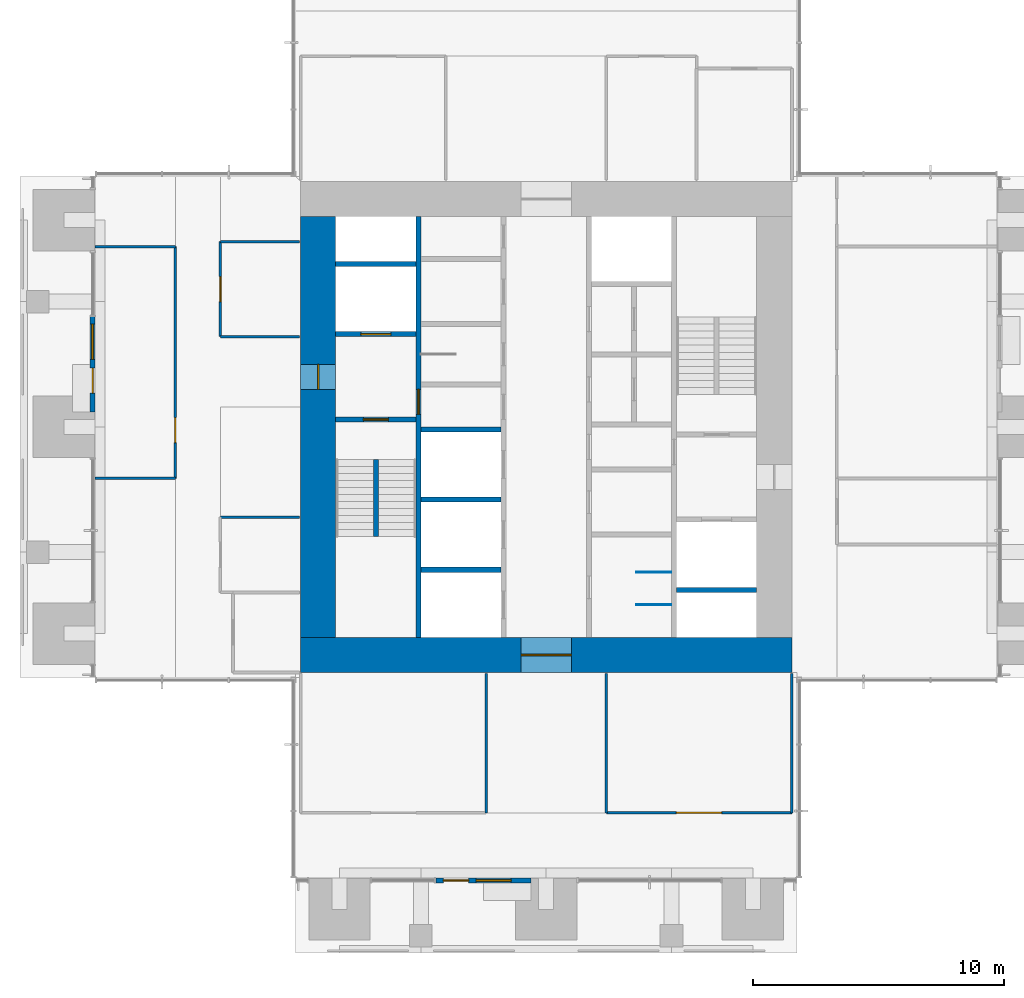
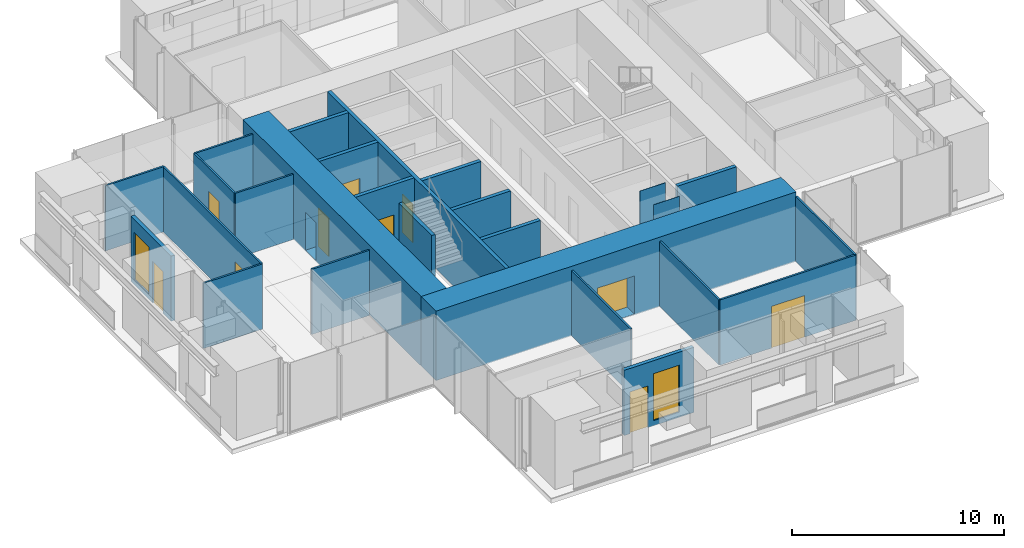
# One storey, part 12 of 17: 26 walls, 10 doors, 2 windows, 12 openings.
"""IFC4 building model written with IfcOpenShell, lengths in metres."""

from ifc_helpers import new_model, si_unit, direction, frame, frame_2d, origin, place, context, subcontext, project, spatial, rectangle, extrude, material, layer, layer_set, type_object, element, fill, save


model = new_model("IFC4")

# Units and contexts
model_context = context("Model", 3, precision=1e-05, world=origin(), true_north=direction((0.0, 1.0)))
body_context = subcontext(model_context, "Body", "Model", "MODEL_VIEW")
ifc_project = project(units=[si_unit("LENGTHUNIT", "METRE"), si_unit("AREAUNIT", "SQUARE_METRE"), si_unit("VOLUMEUNIT", "CUBIC_METRE"), si_unit("PLANEANGLEUNIT", "RADIAN"), si_unit("MASSUNIT", "GRAM", prefix="KILO")], contexts=[model_context])

# Site, building, storey
site_placement = place(None, origin())
site = spatial("IfcSite", under=ifc_project, at=site_placement, CompositionType="ELEMENT")
building_placement = place(site_placement, origin())
building = spatial("IfcBuilding", under=site, at=building_placement, Name="Svetlomir Tower", CompositionType="ELEMENT")
storey_placement = place(building_placement, frame((0.0, 0.0, 214.5)))
storey = spatial("IfcBuildingStorey", under=building, at=storey_placement, Name="L51", CompositionType="ELEMENT", Elevation=214.5)

# Wall, openings, door, window
ifc_material_1 = material(Name="Bronze anodised aluminium glazed screen", Category="aluminium")
ifc_layer_1 = layer(ifc_material_1, 0.199951171875)
ifc_layer_set_1 = layer_set([ifc_layer_1], Name="Bronze anodised aluminium glazed screen")
wall_type_1 = type_object("IfcWallType", Name="BALCONY SCREEN WALL 200", PredefinedType="USERDEFINED", material=ifc_layer_set_1)
wall_1_placement = place(storey_placement, frame((16.60009765625, 2.89990234375, 0.0), z_axis=(0.0, 0.0, 1.0), x_axis=(1.0, 0.0, 0.0)))
wall_1 = element("IfcWall", 1, at=wall_1_placement, inside=storey, type_object=wall_type_1, Name="Balcony screen S", ObjectType="GLAZED SCREEN", PredefinedType="USERDEFINED", context=body_context, shape_type="SweptSolid", body=[
    extrude(rectangle(XDim=3.7998046875, YDim=0.199951171875, at=frame_2d((1.89990234375, 0.0))), origin(), (0.0, 0.0, 1.0), 3.75),
])
opening_1_placement = place(wall_1_placement, frame((0.300048828125, 0.0, 0.0)))
opening_1 = element("IfcOpeningElement", 2, at=opening_1_placement, cuts=wall_1, Name="Opening BD", PredefinedType="OPENING", context=body_context, shape_type="SweptSolid", body=[
    extrude(rectangle(XDim=1.0, YDim=2.39990234375, at=frame_2d((0.5, 1.199951171875))), frame((0.0, 0.10986328125, 0.0), z_axis=(0.0, -1.0, 0.0), x_axis=(1.0, 0.0, 0.0)), (0.0, 0.0, 1.0), 0.219970703125),
])
opening_2_placement = place(wall_1_placement, frame((1.60009765625, 0.0, 0.300048828125)))
opening_2 = element("IfcOpeningElement", 3, at=opening_2_placement, cuts=wall_1, Name="Opening WS2", PredefinedType="OPENING", context=body_context, shape_type="SweptSolid", body=[
    extrude(rectangle(XDim=1.39990234375, YDim=2.699951171875, at=frame_2d((0.699951171875, 1.35009765625))), frame((0.0, 0.10986328125, 0.0), z_axis=(0.0, -1.0, 0.0), x_axis=(1.0, 0.0, 0.0)), (0.0, 0.0, 1.0), 0.219970703125),
])
ifc_material_2 = material(Name="Bronze anodised aluminium glazed door", Category="aluminium")
door_type_1 = type_object("IfcDoorType", Name="BALCONY DOOR BD 1000x2400", OperationType="SINGLE_SWING_LEFT", PredefinedType="DOOR", material=ifc_material_2)
door_1_placement = place(opening_1_placement, origin())
door_1 = element("IfcDoor", 4, at=door_1_placement, inside=storey, type_object=door_type_1, Name="Balcony screen S door", OperationType="SINGLE_SWING_LEFT", OverallHeight=2.39990234375, OverallWidth=1.0, PredefinedType="DOOR", context=body_context, shape_type="SweptSolid", body=[
    extrude(rectangle(XDim=1.0, YDim=2.39990234375, at=frame_2d((0.5, 1.199951171875))), frame((0.0, 0.02490234375, 0.0), z_axis=(0.0, -1.0, 0.0), x_axis=(1.0, 0.0, 0.0)), (0.0, 0.0, 1.0), 0.050048828125),
])
fill(opening_1, door_1)
ifc_material_3 = material(Name="Bronze anodised aluminium window", Category="aluminium")
window_type = type_object("IfcWindowType", Name="SCREEN WINDOW WS2 1400x2700", PartitioningType="SINGLE_PANEL", PredefinedType="WINDOW", material=ifc_material_3)
window_1_placement = place(opening_2_placement, origin())
window_1 = element("IfcWindow", 5, at=window_1_placement, inside=storey, type_object=window_type, Name="Balcony screen S window 1", OverallHeight=2.699951171875, OverallWidth=1.39990234375, PartitioningType="SINGLE_PANEL", PredefinedType="WINDOW", context=body_context, shape_type="SweptSolid", body=[
    extrude(rectangle(XDim=1.39990234375, YDim=2.699951171875, at=frame_2d((0.699951171875, 1.35009765625))), frame((0.0, 0.030029296875, 0.0), z_axis=(0.0, -1.0, 0.0), x_axis=(1.0, 0.0, 0.0)), (0.0, 0.0, 1.0), 0.06005859375),
])
fill(opening_2, window_1)

wall_2_placement = place(storey_placement, frame((2.89990234375, 25.39990234375, 0.0), z_axis=(0.0, 0.0, 1.0), x_axis=(0.0, -1.0, 0.0)))
wall_2 = element("IfcWall", 6, at=wall_2_placement, inside=storey, type_object=wall_type_1, Name="Balcony screen W", ObjectType="GLAZED SCREEN", PredefinedType="USERDEFINED", context=body_context, shape_type="SweptSolid", body=[
    extrude(rectangle(XDim=3.7998046875, YDim=0.199951171875, at=frame_2d((1.89990234375, 0.0))), origin(), (0.0, 0.0, 1.0), 3.75),
])
opening_3_placement = place(wall_2_placement, frame((2.050048828125, 0.0, 0.0)))
opening_3 = element("IfcOpeningElement", 7, at=opening_3_placement, cuts=wall_2, Name="Opening BD", PredefinedType="OPENING", context=body_context, shape_type="SweptSolid", body=[
    extrude(rectangle(XDim=1.0, YDim=2.39990234375, at=frame_2d((0.5, 1.199951171875))), frame((0.0, 0.10986328125, 0.0), z_axis=(0.0, -1.0, 0.0), x_axis=(1.0, 0.0, 0.0)), (0.0, 0.0, 1.0), 0.219970703125),
])
opening_4_placement = place(wall_2_placement, frame((0.300048828125, 0.0, 0.300048828125)))
opening_4 = element("IfcOpeningElement", 8, at=opening_4_placement, cuts=wall_2, Name="Opening WS2", PredefinedType="OPENING", context=body_context, shape_type="SweptSolid", body=[
    extrude(rectangle(XDim=1.39990234375, YDim=2.699951171875, at=frame_2d((0.699951171875, 1.35009765625))), frame((0.0, 0.10986328125, 0.0), z_axis=(0.0, -1.0, 0.0), x_axis=(1.0, 0.0, 0.0)), (0.0, 0.0, 1.0), 0.219970703125),
])
door_2_placement = place(opening_3_placement, origin())
door_2 = element("IfcDoor", 9, at=door_2_placement, inside=storey, type_object=door_type_1, Name="Balcony screen W door", OperationType="SINGLE_SWING_LEFT", OverallHeight=2.39990234375, OverallWidth=1.0, PredefinedType="DOOR", context=body_context, shape_type="SweptSolid", body=[
    extrude(rectangle(XDim=1.0, YDim=2.39990234375, at=frame_2d((0.5, 1.199951171875))), frame((0.0, 0.02490234375, 0.0), z_axis=(0.0, -1.0, 0.0), x_axis=(1.0, 0.0, 0.0)), (0.0, 0.0, 1.0), 0.050048828125),
])
fill(opening_3, door_2)
window_2_placement = place(opening_4_placement, origin())
window_2 = element("IfcWindow", 10, at=window_2_placement, inside=storey, type_object=window_type, Name="Balcony screen W window 1", OverallHeight=2.699951171875, OverallWidth=1.39990234375, PartitioningType="SINGLE_PANEL", PredefinedType="WINDOW", context=body_context, shape_type="SweptSolid", body=[
    extrude(rectangle(XDim=1.39990234375, YDim=2.699951171875, at=frame_2d((0.699951171875, 1.35009765625))), frame((0.0, 0.030029296875, 0.0), z_axis=(0.0, -1.0, 0.0), x_axis=(1.0, 0.0, 0.0)), (0.0, 0.0, 1.0), 0.06005859375),
])
fill(opening_4, window_2)

# Wall, opening, door
ifc_material_4 = material(Name="Concrete C60/75", Category="concrete")
ifc_layer_2 = layer(ifc_material_4, 0.199951171875)
ifc_layer_set_2 = layer_set([ifc_layer_2], Name="Concrete C60/75")
wall_type_2 = type_object("IfcWallType", Name="CORE INNER WALL 200", PredefinedType="SHEAR", material=ifc_layer_set_2)
wall_3_placement = place(storey_placement, frame((15.89990234375, 12.60009765625, -0.050048828125), z_axis=(0.0, 0.0, 1.0), x_axis=(0.0, 1.0, 0.0)))
wall_3 = element("IfcWall", 11, at=wall_3_placement, inside=storey, type_object=wall_type_2, Name="Core inner wall 15.9 L51", PredefinedType="SHEAR", context=body_context, shape_type="SweptSolid", body=[
    extrude(rectangle(XDim=16.7998046875, YDim=0.199951171875, at=frame_2d((8.39990234375, 0.0))), origin(), (0.0, 0.0, 1.0), 4.0),
])
opening_5_placement = place(wall_3_placement, frame((8.89990234375, 0.0, 0.050048828125)))
opening_5 = element("IfcOpeningElement", 12, at=opening_5_placement, cuts=wall_3, Name="Opening DF", PredefinedType="OPENING", context=body_context, shape_type="SweptSolid", body=[
    extrude(rectangle(XDim=1.0, YDim=2.199951171875, at=frame_2d((0.5, 1.10009765625))), frame((0.0, 0.10986328125, 0.0), z_axis=(0.0, -1.0, 0.0), x_axis=(1.0, 0.0, 0.0)), (0.0, 0.0, 1.0), 0.219970703125),
])
ifc_material_5 = material(Name="Steel fire door", Category="steel")
door_type_2 = type_object("IfcDoorType", Name="DOOR DF 1000x2200", OperationType="SINGLE_SWING_LEFT", PredefinedType="DOOR", material=ifc_material_5)
door_3_placement = place(opening_5_placement, origin())
door_3 = element("IfcDoor", 13, at=door_3_placement, inside=storey, type_object=door_type_2, Name="Core corridor west door L51", OperationType="SINGLE_SWING_LEFT", OverallHeight=2.199951171875, OverallWidth=1.0, PredefinedType="DOOR", context=body_context, shape_type="SweptSolid", body=[
    extrude(rectangle(XDim=1.0, YDim=2.199951171875, at=frame_2d((0.5, 1.10009765625))), frame((0.0, 0.02490234375, 0.0), z_axis=(0.0, -1.0, 0.0), x_axis=(1.0, 0.0, 0.0)), (0.0, 0.0, 1.0), 0.050048828125),
])
fill(opening_5, door_3)

wall_4_placement = place(storey_placement, frame((12.60009765625, 21.300048828125, -0.050048828125), z_axis=(0.0, 0.0, 1.0), x_axis=(1.0, 0.0, 0.0)))
wall_4 = element("IfcWall", 14, at=wall_4_placement, inside=storey, type_object=wall_type_2, Name="Core inner wall 12.6-15.8/21.3 L51", PredefinedType="SHEAR", context=body_context, shape_type="SweptSolid", body=[
    extrude(rectangle(XDim=3.199951171875, YDim=0.199951171875, at=frame_2d((1.60009765625, 0.0))), origin(), (0.0, 0.0, 1.0), 4.0),
])
opening_6_placement = place(wall_4_placement, frame((1.10009765625, 0.0, 0.050048828125)))
opening_6 = element("IfcOpeningElement", 15, at=opening_6_placement, cuts=wall_4, Name="Opening DF", PredefinedType="OPENING", context=body_context, shape_type="SweptSolid", body=[
    extrude(rectangle(XDim=1.0, YDim=2.199951171875, at=frame_2d((0.5, 1.10009765625))), frame((0.0, 0.10986328125, 0.0), z_axis=(0.0, -1.0, 0.0), x_axis=(1.0, 0.0, 0.0)), (0.0, 0.0, 1.0), 0.219970703125),
])
door_4_placement = place(opening_6_placement, origin())
door_4 = element("IfcDoor", 16, at=door_4_placement, inside=storey, type_object=door_type_2, Name="Stair S1 door L51", OperationType="SINGLE_SWING_LEFT", OverallHeight=2.199951171875, OverallWidth=1.0, PredefinedType="DOOR", context=body_context, shape_type="SweptSolid", body=[
    extrude(rectangle(XDim=1.0, YDim=2.199951171875, at=frame_2d((0.5, 1.10009765625))), frame((0.0, 0.02490234375, 0.0), z_axis=(0.0, -1.0, 0.0), x_axis=(1.0, 0.0, 0.0)), (0.0, 0.0, 1.0), 0.050048828125),
])
fill(opening_6, door_4)

wall_5_placement = place(storey_placement, frame((12.60009765625, 24.699951171875, -0.050048828125), z_axis=(0.0, 0.0, 1.0), x_axis=(1.0, 0.0, 0.0)))
wall_5 = element("IfcWall", 17, at=wall_5_placement, inside=storey, type_object=wall_type_2, Name="Core inner wall 12.6-15.8/24.7 L51", PredefinedType="SHEAR", context=body_context, shape_type="SweptSolid", body=[
    extrude(rectangle(XDim=3.199951171875, YDim=0.199951171875, at=frame_2d((1.60009765625, 0.0))), origin(), (0.0, 0.0, 1.0), 4.0),
])
opening_7_placement = place(wall_5_placement, frame((1.0, 0.0, 0.050048828125)))
opening_7 = element("IfcOpeningElement", 18, at=opening_7_placement, cuts=wall_5, Name="Opening LD3", PredefinedType="OPENING", context=body_context, shape_type="SweptSolid", body=[
    extrude(rectangle(XDim=1.199951171875, YDim=2.199951171875, at=frame_2d((0.60009765625, 1.10009765625))), frame((0.0, 0.10986328125, 0.0), z_axis=(0.0, -1.0, 0.0), x_axis=(1.0, 0.0, 0.0)), (0.0, 0.0, 1.0), 0.219970703125),
])
ifc_material_6 = material(Name="Stainless steel fire-rated landing door", Category="steel")
door_type_3 = type_object("IfcDoorType", Name="FIREFIGHTING LIFT LANDING DOOR LD3 1200x2200", OperationType="DOUBLE_DOOR_SLIDING", PredefinedType="DOOR", material=ifc_material_6)
door_5_placement = place(opening_7_placement, origin())
door_5 = element("IfcDoor", 19, at=door_5_placement, inside=storey, type_object=door_type_3, Name="Landing door lift FL1 L51", OperationType="DOUBLE_DOOR_SLIDING", OverallHeight=2.199951171875, OverallWidth=1.199951171875, PredefinedType="DOOR", context=body_context, shape_type="SweptSolid", body=[
    extrude(rectangle(XDim=1.199951171875, YDim=2.199951171875, at=frame_2d((0.60009765625, 1.10009765625))), frame((0.0, 0.02490234375, 0.0), z_axis=(0.0, -1.0, 0.0), x_axis=(1.0, 0.0, 0.0)), (0.0, 0.0, 1.0), 0.050048828125),
])
fill(opening_7, door_5)

# Walls
for number, where, z_axis, x_axis, name in (
    (20, (12.60009765625, 27.5, -0.050048828125), (0.0, 0.0, 1.0), (1.0, 0.0, 0.0), "Core inner wall 12.6-15.8/27.5 L51"),
    (21, (16.0, 15.300048828125, -0.050048828125), (0.0, 0.0, 1.0), (1.0, 0.0, 0.0), "Core inner wall 16-19.2/15.3 L51"),
    (22, (16.0, 18.10009765625, -0.050048828125), (0.0, 0.0, 1.0), (1.0, 0.0, 0.0), "Core inner wall 16-19.2/18.1 L51"),
    (23, (16.0, 20.89990234375, -0.050048828125), (0.0, 0.0, 1.0), (1.0, 0.0, 0.0), "Core inner wall 16-19.2/20.9 L51"),
    (24, (26.199951171875, 14.5, -0.050048828125), (0.0, 0.0, 1.0), (1.0, 0.0, 0.0), "Core inner wall 26.2-29.4/14.5 L51"),
):
    element("IfcWall", number, at=place(storey_placement, frame(where, z_axis=z_axis, x_axis=x_axis)), inside=storey, type_object=wall_type_2, Name=name, PredefinedType="SHEAR", context=body_context, shape_type="SweptSolid", body=[
        extrude(rectangle(XDim=3.199951171875, YDim=0.199951171875, at=frame_2d((1.60009765625, 0.0))), origin(), (0.0, 0.0, 1.0), 4.0),
    ])

# Wall, opening, door
ifc_material_7 = material(Name="Concrete C60/75", Category="concrete")
ifc_layer_3 = layer(ifc_material_7, 1.39990234375)
ifc_layer_set_3 = layer_set([ifc_layer_3], Name="Concrete C60/75")
wall_type_3 = type_object("IfcWallType", Name="CORE WALL 1400", PredefinedType="SHEAR", material=ifc_layer_set_3)
wall_6_placement = place(storey_placement, frame((11.199951171875, 11.89990234375, -0.050048828125), z_axis=(0.0, 0.0, 1.0), x_axis=(1.0, 0.0, 0.0)))
wall_6 = element("IfcWall", 25, at=wall_6_placement, inside=storey, type_object=wall_type_3, Name="Core wall south L51", PredefinedType="SHEAR", context=body_context, shape_type="SweptSolid", body=[
    extrude(rectangle(XDim=19.60009765625, YDim=1.39990234375, at=frame_2d((9.800048828125, 0.0))), origin(), (0.0, 0.0, 1.0), 4.0),
])
opening_8_placement = place(wall_6_placement, frame((8.800048828125, 0.0, 0.050048828125)))
opening_8 = element("IfcOpeningElement", 26, at=opening_8_placement, cuts=wall_6, Name="Opening DL", PredefinedType="OPENING", context=body_context, shape_type="SweptSolid", body=[
    extrude(rectangle(XDim=2.0, YDim=2.199951171875, at=frame_2d((1.0, 1.10009765625))), frame((0.0, 0.7099609375, 0.0), z_axis=(0.0, -1.0, 0.0), x_axis=(1.0, 0.0, 0.0)), (0.0, 0.0, 1.0), 1.419921875),
])
ifc_material_8 = material(Name="Steel fire door", Category="steel")
door_type_4 = type_object("IfcDoorType", Name="DOOR DL 2000x2200", OperationType="DOUBLE_DOOR_SINGLE_SWING", PredefinedType="DOOR", material=ifc_material_8)
door_6_placement = place(opening_8_placement, origin())
door_6 = element("IfcDoor", 27, at=door_6_placement, inside=storey, type_object=door_type_4, Name="Lift lobby south door L51", OperationType="DOUBLE_DOOR_SINGLE_SWING", OverallHeight=2.199951171875, OverallWidth=2.0, PredefinedType="DOOR", context=body_context, shape_type="SweptSolid", body=[
    extrude(rectangle(XDim=2.0, YDim=2.199951171875, at=frame_2d((1.0, 1.10009765625))), frame((0.0, 0.02490234375, 0.0), z_axis=(0.0, -1.0, 0.0), x_axis=(1.0, 0.0, 0.0)), (0.0, 0.0, 1.0), 0.050048828125),
])
fill(opening_8, door_6)

wall_7_placement = place(storey_placement, frame((11.89990234375, 12.60009765625, -0.050048828125), z_axis=(0.0, 0.0, 1.0), x_axis=(0.0, 1.0, 0.0)))
wall_7 = element("IfcWall", 28, at=wall_7_placement, inside=storey, type_object=wall_type_3, Name="Core wall west L51", PredefinedType="SHEAR", context=body_context, shape_type="SweptSolid", body=[
    extrude(rectangle(XDim=16.7998046875, YDim=1.39990234375, at=frame_2d((8.39990234375, 0.0))), origin(), (0.0, 0.0, 1.0), 4.0),
])
opening_9_placement = place(wall_7_placement, frame((9.89990234375, 0.0, 0.050048828125)))
opening_9 = element("IfcOpeningElement", 29, at=opening_9_placement, cuts=wall_7, Name="Opening DF", PredefinedType="OPENING", context=body_context, shape_type="SweptSolid", body=[
    extrude(rectangle(XDim=1.0, YDim=2.199951171875, at=frame_2d((0.5, 1.10009765625))), frame((0.0, 0.7099609375, 0.0), z_axis=(0.0, -1.0, 0.0), x_axis=(1.0, 0.0, 0.0)), (0.0, 0.0, 1.0), 1.419921875),
])
door_7_placement = place(opening_9_placement, origin())
door_7 = element("IfcDoor", 30, at=door_7_placement, inside=storey, type_object=door_type_2, Name="Firefighting lobby west door L51", OperationType="SINGLE_SWING_LEFT", OverallHeight=2.199951171875, OverallWidth=1.0, PredefinedType="DOOR", context=body_context, shape_type="SweptSolid", body=[
    extrude(rectangle(XDim=1.0, YDim=2.199951171875, at=frame_2d((0.5, 1.10009765625))), frame((0.0, 0.02490234375, 0.0), z_axis=(0.0, -1.0, 0.0), x_axis=(1.0, 0.0, 0.0)), (0.0, 0.0, 1.0), 0.050048828125),
])
fill(opening_9, door_7)

# Walls
ifc_material_9 = material(Name="Framed laminated glass partition", Category="glass")
ifc_layer_4 = layer(ifc_material_9, 0.10009765625)
ifc_layer_set_4 = layer_set([ifc_layer_4], Name="Framed laminated glass partition")
wall_type_4 = type_object("IfcWallType", Name="GLAZED PARTITION 100", PredefinedType="PARTITIONING", material=ifc_layer_set_4)
for number, where, z_axis, x_axis, name in (
    (31, (3.0, 18.949951171875, 0.0), (0.0, 0.0, 1.0), (1.0, 0.0, 0.0), "Glazed partition L51"),
    (32, (3.0, 28.199951171875, 0.0), (0.0, 0.0, 1.0), (1.0, 0.0, 0.0), "Glazed partition L51"),
):
    element("IfcWall", number, at=place(storey_placement, frame(where, z_axis=z_axis, x_axis=x_axis)), inside=storey, type_object=wall_type_4, Name=name, PredefinedType="PARTITIONING", context=body_context, shape_type="SweptSolid", body=[
        extrude(rectangle(XDim=3.199951171875, YDim=0.10009765625, at=frame_2d((1.60009765625, 0.0))), origin(), (0.0, 0.0, 1.0), 3.75),
    ])

# Wall, opening, door
wall_8_placement = place(storey_placement, frame((6.199951171875, 18.949951171875, 0.0), z_axis=(0.0, 0.0, 1.0), x_axis=(0.0, 1.0, 0.0)))
wall_8 = element("IfcWall", 33, at=wall_8_placement, inside=storey, type_object=wall_type_4, Name="Glazed partition L51", PredefinedType="PARTITIONING", context=body_context, shape_type="SweptSolid", body=[
    extrude(rectangle(XDim=9.25, YDim=0.10009765625, at=frame_2d((4.625, 0.0))), origin(), (0.0, 0.0, 1.0), 3.75),
])
opening_10_placement = place(wall_8_placement, frame((1.425048828125, 0.0, 0.0)))
opening_10 = element("IfcOpeningElement", 34, at=opening_10_placement, cuts=wall_8, Name="Opening DG", PredefinedType="OPENING", context=body_context, shape_type="SweptSolid", body=[
    extrude(rectangle(XDim=1.0, YDim=2.39990234375, at=frame_2d((0.5, 1.199951171875))), frame((0.0, 0.06005859375, 0.0), z_axis=(0.0, -1.0, 0.0), x_axis=(1.0, 0.0, 0.0)), (0.0, 0.0, 1.0), 0.1201171875),
])
ifc_material_10 = material(Name="Framed laminated glass door", Category="glass")
door_type_5 = type_object("IfcDoorType", Name="GLAZED DOOR DG 1000x2400", OperationType="SINGLE_SWING_LEFT", PredefinedType="DOOR", material=ifc_material_10)
door_8_placement = place(opening_10_placement, origin())
door_8 = element("IfcDoor", 35, at=door_8_placement, inside=storey, type_object=door_type_5, Name="Quiet study room door L51", OperationType="SINGLE_SWING_LEFT", OverallHeight=2.39990234375, OverallWidth=1.0, PredefinedType="DOOR", context=body_context, shape_type="SweptSolid", body=[
    extrude(rectangle(XDim=1.0, YDim=2.39990234375, at=frame_2d((0.5, 1.199951171875))), frame((0.0, 0.02490234375, 0.0), z_axis=(0.0, -1.0, 0.0), x_axis=(1.0, 0.0, 0.0)), (0.0, 0.0, 1.0), 0.050048828125),
])
fill(opening_10, door_8)

# Wall
wall_9_placement = place(storey_placement, frame((8.0, 17.39990234375, 0.0), z_axis=(0.0, 0.0, 1.0), x_axis=(1.0, 0.0, 0.0)))
element("IfcWall", 36, at=wall_9_placement, inside=storey, type_object=wall_type_4, Name="Glazed partition L51", PredefinedType="PARTITIONING", context=body_context, shape_type="SweptSolid", body=[
    extrude(rectangle(XDim=3.14990234375, YDim=0.10009765625, at=frame_2d((1.574951171875, 0.0))), origin(), (0.0, 0.0, 1.0), 3.75),
])

# Wall, opening, door
wall_10_placement = place(storey_placement, frame((8.0, 24.60009765625, 0.0), z_axis=(0.0, 0.0, 1.0), x_axis=(0.0, 1.0, 0.0)))
wall_10 = element("IfcWall", 37, at=wall_10_placement, inside=storey, type_object=wall_type_4, Name="Glazed partition L51", PredefinedType="PARTITIONING", context=body_context, shape_type="SweptSolid", body=[
    extrude(rectangle(XDim=3.7998046875, YDim=0.10009765625, at=frame_2d((1.89990234375, 0.0))), origin(), (0.0, 0.0, 1.0), 3.75),
])
opening_11_placement = place(wall_10_placement, frame((1.39990234375, 0.0, 0.0)))
opening_11 = element("IfcOpeningElement", 38, at=opening_11_placement, cuts=wall_10, Name="Opening DG", PredefinedType="OPENING", context=body_context, shape_type="SweptSolid", body=[
    extrude(rectangle(XDim=1.0, YDim=2.39990234375, at=frame_2d((0.5, 1.199951171875))), frame((0.0, 0.06005859375, 0.0), z_axis=(0.0, -1.0, 0.0), x_axis=(1.0, 0.0, 0.0)), (0.0, 0.0, 1.0), 0.1201171875),
])
door_9_placement = place(opening_11_placement, origin())
door_9 = element("IfcDoor", 39, at=door_9_placement, inside=storey, type_object=door_type_5, Name="Assessment room door L51", OperationType="SINGLE_SWING_RIGHT", OverallHeight=2.39990234375, OverallWidth=1.0, PredefinedType="DOOR", context=body_context, shape_type="SweptSolid", body=[
    extrude(rectangle(XDim=1.0, YDim=2.39990234375, at=frame_2d((0.5, 1.199951171875))), frame((0.0, 0.02490234375, 0.0), z_axis=(0.0, -1.0, 0.0), x_axis=(1.0, 0.0, 0.0)), (0.0, 0.0, 1.0), 0.050048828125),
])
fill(opening_11, door_9)

# Walls
for number, where, z_axis, x_axis, name in (
    (40, (8.0, 24.60009765625, 0.0), (0.0, 0.0, 1.0), (1.0, 0.0, 0.0), "Glazed partition L51"),
    (41, (8.0, 28.39990234375, 0.0), (0.0, 0.0, 1.0), (1.0, 0.0, 0.0), "Glazed partition L51"),
):
    element("IfcWall", number, at=place(storey_placement, frame(where, z_axis=z_axis, x_axis=x_axis)), inside=storey, type_object=wall_type_4, Name=name, PredefinedType="PARTITIONING", context=body_context, shape_type="SweptSolid", body=[
        extrude(rectangle(XDim=3.14990234375, YDim=0.10009765625, at=frame_2d((1.574951171875, 0.0))), origin(), (0.0, 0.0, 1.0), 3.75),
    ])
for number, where, z_axis, x_axis, name in (
    (42, (18.60009765625, 5.60009765625, 0.0), (0.0, 0.0, 1.0), (0.0, 1.0, 0.0), "Glazed partition L51"),
    (43, (23.39990234375, 5.60009765625, 0.0), (0.0, 0.0, 1.0), (0.0, 1.0, 0.0), "Glazed partition L51"),
):
    element("IfcWall", number, at=place(storey_placement, frame(where, z_axis=z_axis, x_axis=x_axis)), inside=storey, type_object=wall_type_4, Name=name, PredefinedType="PARTITIONING", context=body_context, shape_type="SweptSolid", body=[
        extrude(rectangle(XDim=5.5498046875, YDim=0.10009765625, at=frame_2d((2.77490234375, 0.0))), origin(), (0.0, 0.0, 1.0), 3.75),
    ])

# Wall, opening, door
wall_11_placement = place(storey_placement, frame((23.39990234375, 5.60009765625, 0.0), z_axis=(0.0, 0.0, 1.0), x_axis=(1.0, 0.0, 0.0)))
wall_11 = element("IfcWall", 44, at=wall_11_placement, inside=storey, type_object=wall_type_4, Name="Glazed partition L51", PredefinedType="PARTITIONING", context=body_context, shape_type="SweptSolid", body=[
    extrude(rectangle(XDim=7.400146484375, YDim=0.10009765625, at=frame_2d((3.7001953125, 0.0))), origin(), (0.0, 0.0, 1.0), 3.75),
])
opening_12_placement = place(wall_11_placement, frame((2.800048828125, 0.0, 0.0)))
opening_12 = element("IfcOpeningElement", 45, at=opening_12_placement, cuts=wall_11, Name="Opening DD", PredefinedType="OPENING", context=body_context, shape_type="SweptSolid", body=[
    extrude(rectangle(XDim=1.800048828125, YDim=2.39990234375, at=frame_2d((0.89990234375, 1.199951171875))), frame((0.0, 0.06005859375, 0.0), z_axis=(0.0, -1.0, 0.0), x_axis=(1.0, 0.0, 0.0)), (0.0, 0.0, 1.0), 0.1201171875),
])
ifc_material_11 = material(Name="Timber door", Category="wood")
door_type_6 = type_object("IfcDoorType", Name="DOOR DD 1800x2400", OperationType="DOUBLE_DOOR_SINGLE_SWING", PredefinedType="DOOR", material=ifc_material_11)
door_10_placement = place(opening_12_placement, origin())
door_10 = element("IfcDoor", 46, at=door_10_placement, inside=storey, type_object=door_type_6, Name="Training room, 20 seats door L51", OperationType="DOUBLE_DOOR_SINGLE_SWING", OverallHeight=2.39990234375, OverallWidth=1.800048828125, PredefinedType="DOOR", context=body_context, shape_type="SweptSolid", body=[
    extrude(rectangle(XDim=1.800048828125, YDim=2.39990234375, at=frame_2d((0.89990234375, 1.199951171875))), frame((0.0, 0.02490234375, 0.0), z_axis=(0.0, -1.0, 0.0), x_axis=(1.0, 0.0, 0.0)), (0.0, 0.0, 1.0), 0.050048828125),
])
fill(opening_12, door_10)

# Walls
wall_12_placement = place(storey_placement, frame((30.800048828125, 5.60009765625, 0.0), z_axis=(0.0, 0.0, 1.0), x_axis=(0.0, 1.0, 0.0)))
element("IfcWall", 47, at=wall_12_placement, inside=storey, type_object=wall_type_4, Name="Glazed partition L51", PredefinedType="PARTITIONING", context=body_context, shape_type="SweptSolid", body=[
    extrude(rectangle(XDim=5.5498046875, YDim=0.10009765625, at=frame_2d((2.77490234375, 0.0))), origin(), (0.0, 0.0, 1.0), 3.75),
])
ifc_material_12 = material(Name="Concrete C60/75", Category="concrete")
ifc_layer_5 = layer(ifc_material_12, 0.199951171875)
ifc_layer_set_5 = layer_set([ifc_layer_5], Name="Concrete C60/75")
wall_type_5 = type_object("IfcWallType", Name="STAIR SPINE WALL 200", PredefinedType="PARTITIONING", material=ifc_layer_set_5)
wall_13_placement = place(storey_placement, frame((14.199951171875, 16.6201171875, 0.0), z_axis=(0.0, 0.0, 1.0), x_axis=(0.0, 1.0, 0.0)))
element("IfcWall", 48, at=wall_13_placement, inside=storey, type_object=wall_type_5, Name="Stair S1 spine wall L51", PredefinedType="PARTITIONING", context=body_context, shape_type="SweptSolid", body=[
    extrude(rectangle(XDim=3.079833984375, YDim=0.199951171875, at=frame_2d((1.5400390625, 0.0))), origin(), (0.0, 0.0, 1.0), 4.0),
])
ifc_material_13 = material(Name="Compact laminate panel", Category="plastic")
ifc_layer_6 = layer(ifc_material_13, 0.030029296875)
ifc_layer_set_6 = layer_set([ifc_layer_6], Name="Compact laminate panel")
wall_type_6 = type_object("IfcWallType", Name="WC CUBICLE PARTITION 30", PredefinedType="PARTITIONING", material=ifc_layer_set_6)
for number, where, z_axis, x_axis, name in (
    (49, (24.60009765625, 13.89990234375, 0.0), (0.0, 0.0, 1.0), (1.0, 0.0, 0.0), "WC cubicle partition L51"),
    (50, (24.60009765625, 15.199951171875, 0.0), (0.0, 0.0, 1.0), (1.0, 0.0, 0.0), "WC cubicle partition L51"),
):
    element("IfcWall", number, at=place(storey_placement, frame(where, z_axis=z_axis, x_axis=x_axis)), inside=storey, type_object=wall_type_6, Name=name, PredefinedType="PARTITIONING", context=body_context, shape_type="SweptSolid", body=[
        extrude(rectangle(XDim=1.39990234375, YDim=0.030029296875, at=frame_2d((0.699951171875, 0.0))), origin(), (0.0, 0.0, 1.0), 3.75),
    ])

save(model, "model.ifc")
